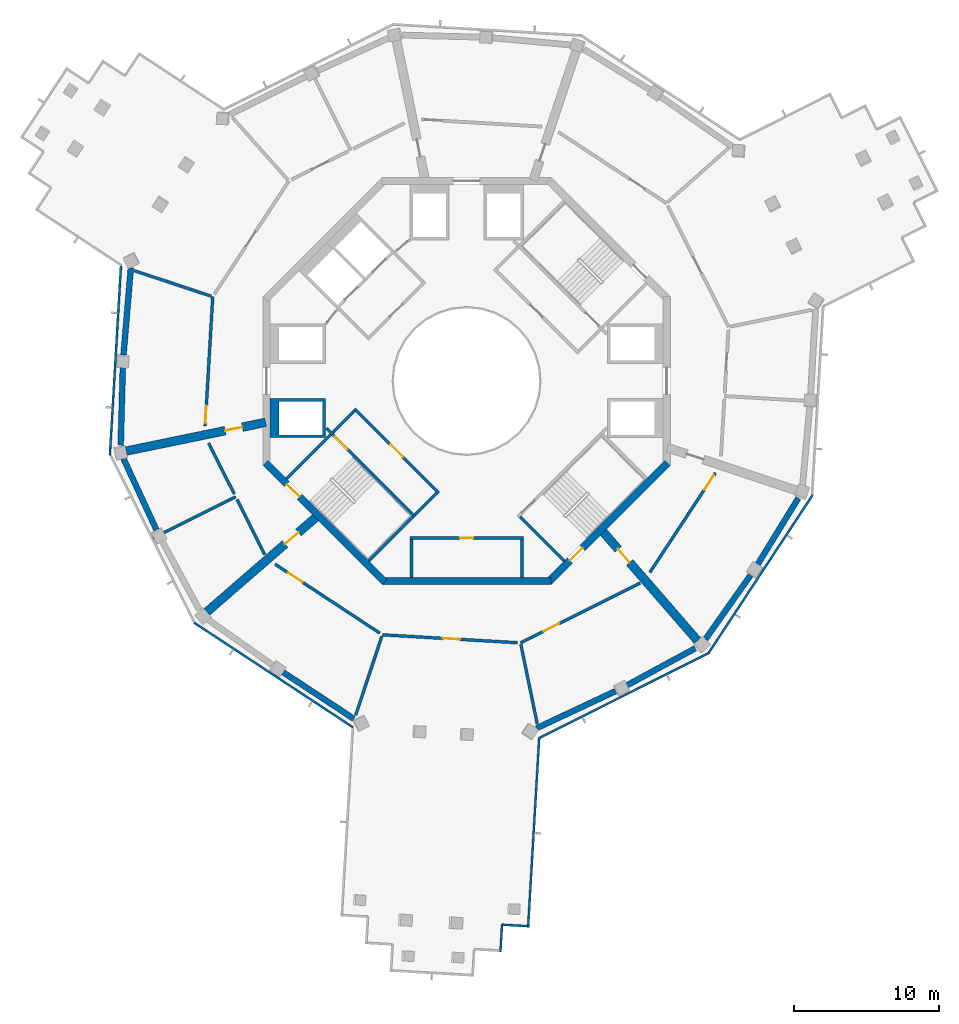
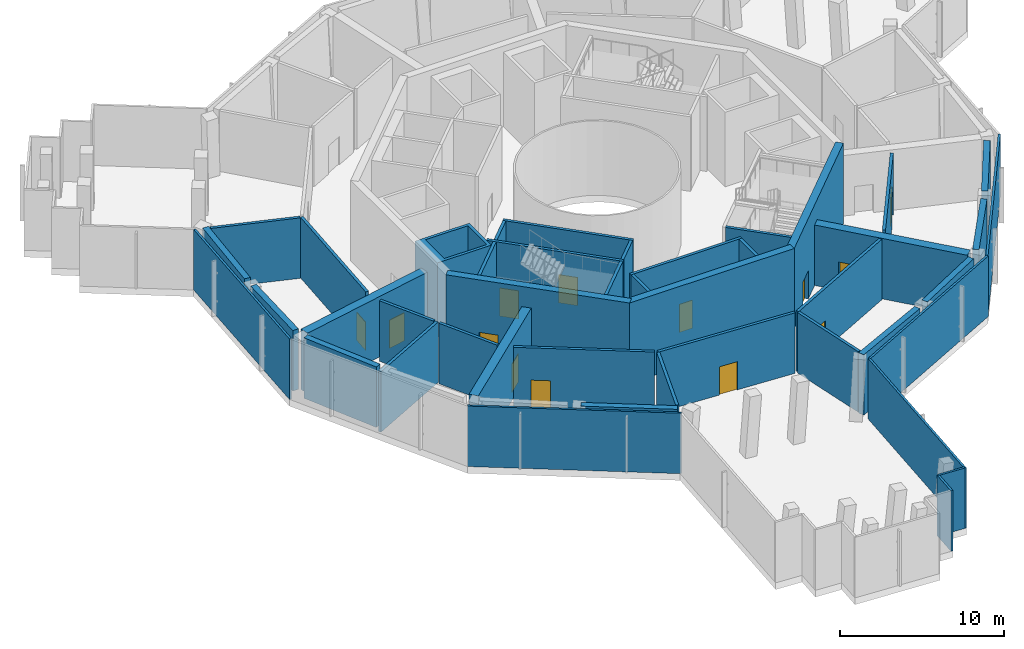
# One storey, part 2 of 16: 43 walls, 13 doors, 13 openings.
"""IFC4 building model written with IfcOpenShell, lengths in metres."""

from ifc_helpers import new_model, si_unit, direction, frame, frame_2d, origin, place, context, subcontext, project, spatial, polyline, rectangle, outline, extrude, material, layer, layer_set, type_object, element, fill, save


model = new_model("IFC4")

# Units and contexts
model_context = context("Model", 3, precision=1e-05, world=origin(), true_north=direction((0.0, 1.0)))
body_context = subcontext(model_context, "Body", "Model", "MODEL_VIEW")
ifc_project = project(units=[si_unit("LENGTHUNIT", "METRE"), si_unit("AREAUNIT", "SQUARE_METRE"), si_unit("VOLUMEUNIT", "CUBIC_METRE"), si_unit("PLANEANGLEUNIT", "RADIAN"), si_unit("MASSUNIT", "GRAM", prefix="KILO")], contexts=[model_context])

# Site, building, storey
site_placement = place(None, origin())
site = spatial("IfcSite", under=ifc_project, at=site_placement, CompositionType="ELEMENT")
building_placement = place(site_placement, origin())
building = spatial("IfcBuilding", under=site, at=building_placement, Name="Verdalira Terraces Hotel", CompositionType="ELEMENT")
storey_placement = place(building_placement, frame((0.0, 0.0, 263.0)))
storey = spatial("IfcBuildingStorey", under=building, at=storey_placement, Name="L65", CompositionType="ELEMENT", Elevation=263.0)

# Walls
ifc_material_1 = material(Name="Concrete C70", Category="concrete")
ifc_layer_1 = layer(ifc_material_1, 0.39990234375)
ifc_layer_set_1 = layer_set([ifc_layer_1], Name="Belt wall 400 C70")
wall_type_1 = type_object("IfcWallType", Name="Belt wall 400 C70", PredefinedType="SHEAR", material=ifc_layer_set_1)
wall_1_placement = place(storey_placement, frame((-23.077148, 7.766357, 0.0), z_axis=(0.0, 0.0, 1.0), x_axis=(-0.084417709, -0.996430454, 0.0)))
element("IfcWall", 1, at=wall_1_placement, inside=storey, type_object=wall_type_1, Name="Belt wall BW-65-1", PredefinedType="SHEAR", context=body_context, shape_type="SweptSolid", body=[
    extrude(rectangle(XDim=5.992432, YDim=0.399902, at=frame_2d((2.996094, 0.0))), origin(), (0.0, 0.0, 1.0), 4.5),
])
wall_2_placement = place(storey_placement, frame((-23.628662, 0.974121, 0.0), z_axis=(0.0, 0.0, 1.0), x_axis=(-0.026832631, -0.99963994, 0.0)))
element("IfcWall", 2, at=wall_2_placement, inside=storey, type_object=wall_type_1, Name="Belt wall BW-65-2", PredefinedType="SHEAR", context=body_context, shape_type="SweptSolid", body=[
    extrude(rectangle(XDim=5.395508, YDim=0.399902, at=frame_2d((2.697754, 0.0))), origin(), (0.0, 0.0, 1.0), 4.5),
])
wall_3_placement = place(storey_placement, frame((-23.584717, -5.336182, 0.0), z_axis=(0.0, 0.0, 1.0), x_axis=(0.419749551, -0.90763997, 0.0)))
element("IfcWall", 3, at=wall_3_placement, inside=storey, type_object=wall_type_1, Name="Belt wall BW-65-3", PredefinedType="SHEAR", context=body_context, shape_type="SweptSolid", body=[
    extrude(rectangle(XDim=5.395752, YDim=0.399902, at=frame_2d((2.697754, 0.0))), origin(), (0.0, 0.0, 1.0), 4.5),
])
wall_4_placement = place(storey_placement, frame((-12.675537, -19.980225, 0.0), z_axis=(0.0, 0.0, 1.0), x_axis=(0.835226029, -0.549906792, 0.0)))
element("IfcWall", 4, at=wall_4_placement, inside=storey, type_object=wall_type_1, Name="Belt wall BW-65-6", PredefinedType="SHEAR", context=body_context, shape_type="SweptSolid", body=[
    extrude(rectangle(XDim=5.899902, YDim=0.399902, at=frame_2d((2.949951, 0.0))), origin(), (0.0, 0.0, 1.0), 4.5),
])
wall_5_placement = place(storey_placement, frame((4.8125, -23.868408, 0.0), z_axis=(0.0, 0.0, 1.0), x_axis=(0.905172013, 0.425045441, 0.0)))
element("IfcWall", 5, at=wall_5_placement, inside=storey, type_object=wall_type_1, Name="Belt wall BW-65-7", PredefinedType="SHEAR", context=body_context, shape_type="SweptSolid", body=[
    extrude(rectangle(XDim=5.992676, YDim=0.399902, at=frame_2d((2.996338, 0.0))), origin(), (0.0, 0.0, 1.0), 4.5),
])
wall_6_placement = place(storey_placement, frame((10.970703, -20.950195, 0.0), z_axis=(0.0, 0.0, 1.0), x_axis=(0.879122155, 0.476596513, 0.0)))
element("IfcWall", 6, at=wall_6_placement, inside=storey, type_object=wall_type_1, Name="Belt wall BW-65-8", PredefinedType="SHEAR", context=body_context, shape_type="SweptSolid", body=[
    extrude(rectangle(XDim=5.395508, YDim=0.399902, at=frame_2d((2.697754, 0.0))), origin(), (0.0, 0.0, 1.0), 4.5),
])
for number, where, z_axis, x_axis, name in (
    (7, (16.413574, -17.756836, 0.0), (0.0, 0.0, 1.0), (0.576167922, 0.817331344, 0.0), "Belt wall BW-65-9"),
    (8, (19.976074, -12.658203, 0.0), (0.0, 0.0, 1.0), (0.523013979, 0.852324104, 0.0), "Belt wall BW-65-10"),
):
    element("IfcWall", number, at=place(storey_placement, frame(where, z_axis=z_axis, x_axis=x_axis)), inside=storey, type_object=wall_type_1, Name=name, PredefinedType="SHEAR", context=body_context, shape_type="SweptSolid", body=[
        extrude(rectangle(XDim=5.395752, YDim=0.399902, at=frame_2d((2.697754, 0.0))), origin(), (0.0, 0.0, 1.0), 4.5),
    ])
ifc_material_2 = material(Name="Concrete C50", Category="concrete")
ifc_layer_2 = layer(ifc_material_2, 0.199951171875)
ifc_layer_set_2 = layer_set([ifc_layer_2], Name="Core RC wall 200 C50")
wall_type_2 = type_object("IfcWallType", Name="Core RC wall 200 C50", PredefinedType="SOLIDWALL", material=ifc_layer_set_2)
wall_7_placement = place(storey_placement, origin())
element("IfcWall", 9, at=wall_7_placement, inside=storey, type_object=wall_type_2, Name="L65 shaft wall W2", PredefinedType="SOLIDWALL", context=body_context, shape_type="SweptSolid", body=[
    extrude(outline(polyline([(-9.699951, -3.899902), (-13.5, -3.899902), (-13.5, -1.199951), (-9.699951, -1.199951), (-9.699951, -3.899902)]), holes=[polyline([(-12.899902, -1.399902), (-12.899902, -3.699951), (-9.899902, -3.699951), (-9.899902, -1.399902), (-12.899902, -1.399902)])]), origin(), (0.0, 0.0, 1.0), 5.550049),
])

# Wall, opening, door
wall_8_placement = place(storey_placement, frame((-3.899902, -10.800049, 0.0), z_axis=(0.0, 0.0, 1.0), x_axis=(1.0, 0.0, 0.0)))
wall_8 = element("IfcWall", 10, at=wall_8_placement, inside=storey, type_object=wall_type_2, Name="L65 store front wall", PredefinedType="SOLIDWALL", context=body_context, shape_type="SweptSolid", body=[
    extrude(rectangle(XDim=7.799805, YDim=0.199951, at=frame_2d((3.899902, 0.0))), origin(), (0.0, 0.0, 1.0), 5.550049),
])
opening_1_placement = place(wall_8_placement, frame((3.449951, 0.0, 0.0)))
opening_1 = element("IfcOpeningElement", 11, at=opening_1_placement, cuts=wall_8, Name="Opening L65-801", PredefinedType="OPENING", context=body_context, shape_type="SweptSolid", body=[
    extrude(rectangle(XDim=0.899902, YDim=2.100098, at=frame_2d((0.449951, 1.050049))), frame((0.0, 0.109863, 0.0), z_axis=(0.0, -1.0, 0.0), x_axis=(1.0, 0.0, 0.0)), (0.0, 0.0, 1.0), 0.219971),
])
ifc_material_3 = material(Name="Steel fire door", Category="steel")
door_type_1 = type_object("IfcDoorType", Name="Core room door 900 x 2100", OperationType="NOTDEFINED", PredefinedType="DOOR", material=ifc_material_3)
door_1_placement = place(opening_1_placement, origin())
door_1 = element("IfcDoor", 12, at=door_1_placement, inside=storey, type_object=door_type_1, Name="Store door L65 SS", OperationType="SINGLE_SWING_LEFT", OverallHeight=2.10009765625, OverallWidth=0.89990234375, PredefinedType="DOOR", context=body_context, shape_type="SweptSolid", body=[
    extrude(rectangle(XDim=0.899902, YDim=2.100098, at=frame_2d((0.449951, 1.050049))), frame((0.0, 0.024902, 0.0), z_axis=(0.0, -1.0, 0.0), x_axis=(1.0, 0.0, 0.0)), (0.0, 0.0, 1.0), 0.050049),
])
fill(opening_1, door_1)

# Walls
for number, where, z_axis, x_axis, name in (
    (13, (-3.800049, -10.899902, 0.0), (0.0, 0.0, 1.0), (0.0, -1.0, 0.0), "L65 store side wall"),
    (14, (3.800049, -10.899902, 0.0), (0.0, 0.0, 1.0), (0.0, -1.0, 0.0), "L65 store side wall"),
):
    element("IfcWall", number, at=place(storey_placement, frame(where, z_axis=z_axis, x_axis=x_axis)), inside=storey, type_object=wall_type_2, Name=name, PredefinedType="SOLIDWALL", context=body_context, shape_type="SweptSolid", body=[
        extrude(rectangle(XDim=2.600098, YDim=0.199951, at=frame_2d((1.300049, 0.0))), origin(), (0.0, 0.0, 1.0), 5.550049),
    ])

# Wall, opening, door
wall_9_placement = place(storey_placement, frame((-3.5354, -9.33374, 0.0), z_axis=(0.0, 0.0, 1.0), x_axis=(-0.707120946, 0.707092617, 0.0)))
wall_9 = element("IfcWall", 15, at=wall_9_placement, inside=storey, type_object=wall_type_2, Name="L65 stair ST2 front wall", PredefinedType="SOLIDWALL", context=body_context, shape_type="SweptSolid", body=[
    extrude(rectangle(XDim=8.61792, YDim=0.199951, at=frame_2d((4.309082, 0.0))), origin(), (0.0, 0.0, 1.0), 5.550049),
])
opening_2_placement = place(wall_9_placement, frame((6.600098, 0.0, 0.0)))
opening_2 = element("IfcOpeningElement", 16, at=opening_2_placement, cuts=wall_9, Name="Opening L65-805", PredefinedType="OPENING", context=body_context, shape_type="SweptSolid", body=[
    extrude(rectangle(XDim=1.199951, YDim=2.100098, at=frame_2d((0.600098, 1.050049))), frame((0.0, 0.109863, 0.0), z_axis=(0.0, -1.0, 0.0), x_axis=(1.0, 0.0, 0.0)), (0.0, 0.0, 1.0), 0.219971),
])
ifc_material_4 = material(Name="Steel fire door", Category="steel")
door_type_2 = type_object("IfcDoorType", Name="Stair door 1200 x 2100", OperationType="NOTDEFINED", PredefinedType="DOOR", material=ifc_material_4)
door_2_placement = place(opening_2_placement, origin())
door_2 = element("IfcDoor", 17, at=door_2_placement, inside=storey, type_object=door_type_2, Name="Stair door ST2 L65", OperationType="SINGLE_SWING_RIGHT", OverallHeight=2.10009765625, OverallWidth=1.199951171875, PredefinedType="DOOR", context=body_context, shape_type="SweptSolid", body=[
    extrude(rectangle(XDim=1.199951, YDim=2.100098, at=frame_2d((0.600098, 1.050049))), frame((0.0, 0.024902, 0.0), z_axis=(0.0, -1.0, 0.0), x_axis=(1.0, 0.0, 0.0)), (0.0, 0.0, 1.0), 0.050049),
])
fill(opening_2, door_2)

# Walls
for number, where, z_axis, x_axis, name in (
    (18, (-9.33374, -3.677002, 0.0), (0.0, 0.0, 1.0), (-0.707135168, -0.707078393, 0.0), "L65 stair ST2 end wall 1"),
    (19, (-3.677002, -9.33374, 0.0), (0.0, 0.0, 1.0), (-0.707078393, -0.707135168, 0.0), "L65 stair ST2 end wall 2"),
    (20, (3.677002, -9.33374, 0.0), (0.0, 0.0, 1.0), (0.707078393, -0.707135168, 0.0), "L65 stair ST3 end wall 1"),
):
    element("IfcWall", number, at=place(storey_placement, frame(where, z_axis=z_axis, x_axis=x_axis)), inside=storey, type_object=wall_type_2, Name=name, PredefinedType="SOLIDWALL", context=body_context, shape_type="SweptSolid", body=[
        extrude(rectangle(XDim=4.300049, YDim=0.199951, at=frame_2d((2.149902, 0.0))), origin(), (0.0, 0.0, 1.0), 5.550049),
    ])

# Wall, opening, door
wall_10_placement = place(storey_placement, frame((-7.70752, -1.90918, 0.0), z_axis=(0.0, 0.0, 1.0), x_axis=(0.707106781, -0.707106781, 0.0)))
wall_10 = element("IfcWall", 21, at=wall_10_placement, inside=storey, type_object=wall_type_2, Name="Stair lobby wall ST2 L65", PredefinedType="SOLIDWALL", context=body_context, shape_type="SweptSolid", body=[
    extrude(rectangle(XDim=8.200195, YDim=0.199951, at=frame_2d((4.100098, 0.0))), origin(), (0.0, 0.0, 1.0), 5.550049),
])
opening_3_placement = place(wall_10_placement, frame((3.5, 0.0, 0.0)))
opening_3 = element("IfcOpeningElement", 22, at=opening_3_placement, cuts=wall_10, Name="Opening L65-817", PredefinedType="OPENING", context=body_context, shape_type="SweptSolid", body=[
    extrude(rectangle(XDim=1.199951, YDim=2.100098, at=frame_2d((0.600098, 1.050049))), frame((0.0, 0.109863, 0.0), z_axis=(0.0, -1.0, 0.0), x_axis=(1.0, 0.0, 0.0)), (0.0, 0.0, 1.0), 0.219971),
])
ifc_material_5 = material(Name="Steel fire door", Category="steel")
door_type_3 = type_object("IfcDoorType", Name="Lobby door 1200 x 2100", OperationType="NOTDEFINED", PredefinedType="DOOR", material=ifc_material_5)
door_3_placement = place(opening_3_placement, origin())
door_3 = element("IfcDoor", 23, at=door_3_placement, inside=storey, type_object=door_type_3, Name="Door L65 lobbyST2", OperationType="SINGLE_SWING_LEFT", OverallHeight=2.10009765625, OverallWidth=1.199951171875, PredefinedType="DOOR", context=body_context, shape_type="SweptSolid", body=[
    extrude(rectangle(XDim=1.199951, YDim=2.100098, at=frame_2d((0.600098, 1.050049))), frame((0.0, 0.024902, 0.0), z_axis=(0.0, -1.0, 0.0), x_axis=(1.0, 0.0, 0.0)), (0.0, 0.0, 1.0), 0.050049),
])
fill(opening_3, door_3)

# Walls
for number, where, z_axis, x_axis, name in (
    (24, (-7.70752, -2.050537, 0.0), (0.0, 0.0, 1.0), (-0.707106781, -0.707106781, 0.0), "Stair lobby wall ST2 L65"),
    (25, (-2.050537, -7.70752, 0.0), (0.0, 0.0, 1.0), (-0.707106781, -0.707106781, 0.0), "Stair lobby wall ST2 L65"),
):
    element("IfcWall", number, at=place(storey_placement, frame(where, z_axis=z_axis, x_axis=x_axis)), inside=storey, type_object=wall_type_2, Name=name, PredefinedType="SOLIDWALL", context=body_context, shape_type="SweptSolid", body=[
        extrude(rectangle(XDim=2.099854, YDim=0.199951, at=frame_2d((1.049805, 0.0))), origin(), (0.0, 0.0, 1.0), 5.550049),
    ])

# Wall, opening, door
ifc_material_6 = material(Name="Concrete C50", Category="concrete")
ifc_layer_3 = layer(ifc_material_6, 0.5)
ifc_layer_set_3 = layer_set([ifc_layer_3], Name="Core wall 500 C50")
wall_type_3 = type_object("IfcWallType", Name="Core wall 500 C50", PredefinedType="SHEAR", material=ifc_layer_set_3)
wall_11_placement = place(storey_placement, frame((-13.823242, -5.622314, 0.0), z_axis=(0.0, 0.0, 1.0), x_axis=(0.707106781, -0.707106781, 0.0)))
wall_11 = element("IfcWall", 26, at=wall_11_placement, inside=storey, type_object=wall_type_3, Name="Core wall CW-L65-6", PredefinedType="SHEAR", context=body_context, shape_type="SweptSolid", body=[
    extrude(rectangle(XDim=11.5979, YDim=0.5, at=frame_2d((5.798828, 0.0))), origin(), (0.0, 0.0, 1.0), 6.0),
])
opening_4_placement = place(wall_11_placement, frame((2.099121, 0.0, 0.0)))
opening_4 = element("IfcOpeningElement", 27, at=opening_4_placement, cuts=wall_11, Name="Opening L65-811", PredefinedType="OPENING", context=body_context, shape_type="SweptSolid", body=[
    extrude(rectangle(XDim=1.199951, YDim=2.100098, at=frame_2d((0.600098, 1.050049))), frame((0.0, 0.26001, 0.0), z_axis=(0.0, -1.0, 0.0), x_axis=(1.0, 0.0, 0.0)), (0.0, 0.0, 1.0), 0.52002),
])
door_4_placement = place(opening_4_placement, origin())
door_4 = element("IfcDoor", 28, at=door_4_placement, inside=storey, type_object=door_type_2, Name="Stair exit door ST2 L65", OperationType="SINGLE_SWING_LEFT", OverallHeight=2.10009765625, OverallWidth=1.199951171875, PredefinedType="DOOR", context=body_context, shape_type="SweptSolid", body=[
    extrude(rectangle(XDim=1.199951, YDim=2.100098, at=frame_2d((0.600098, 1.050049))), frame((0.0, 0.024902, 0.0), z_axis=(0.0, -1.0, 0.0), x_axis=(1.0, 0.0, 0.0)), (0.0, 0.0, 1.0), 0.050049),
])
fill(opening_4, door_4)

# Wall
wall_12_placement = place(storey_placement, frame((-5.799072, -13.75, 0.0), z_axis=(0.0, 0.0, 1.0), x_axis=(1.0, 0.0, 0.0)))
element("IfcWall", 29, at=wall_12_placement, inside=storey, type_object=wall_type_3, Name="Core wall CW-L65-7", PredefinedType="SHEAR", context=body_context, shape_type="SweptSolid", body=[
    extrude(rectangle(XDim=11.598145, YDim=0.5, at=frame_2d((5.799072, 0.0))), origin(), (0.0, 0.0, 1.0), 6.0),
])

# Wall, opening, door
wall_13_placement = place(storey_placement, frame((5.622314, -13.823242, 0.0), z_axis=(0.0, 0.0, 1.0), x_axis=(0.707106781, 0.707106781, 0.0)))
wall_13 = element("IfcWall", 30, at=wall_13_placement, inside=storey, type_object=wall_type_3, Name="Core wall CW-L65-8", PredefinedType="SHEAR", context=body_context, shape_type="SweptSolid", body=[
    extrude(rectangle(XDim=11.5979, YDim=0.5, at=frame_2d((5.798828, 0.0))), origin(), (0.0, 0.0, 1.0), 6.0),
])
opening_5_placement = place(wall_13_placement, frame((2.099121, 0.0, 0.0)))
opening_5 = element("IfcOpeningElement", 31, at=opening_5_placement, cuts=wall_13, Name="Opening L65-812", PredefinedType="OPENING", context=body_context, shape_type="SweptSolid", body=[
    extrude(rectangle(XDim=1.199951, YDim=2.100098, at=frame_2d((0.600098, 1.050049))), frame((0.0, 0.26001, 0.0), z_axis=(0.0, -1.0, 0.0), x_axis=(1.0, 0.0, 0.0)), (0.0, 0.0, 1.0), 0.52002),
])
door_5_placement = place(opening_5_placement, origin())
door_5 = element("IfcDoor", 32, at=door_5_placement, inside=storey, type_object=door_type_2, Name="Stair exit door ST3 L65", OperationType="SINGLE_SWING_LEFT", OverallHeight=2.10009765625, OverallWidth=1.199951171875, PredefinedType="DOOR", context=body_context, shape_type="SweptSolid", body=[
    extrude(rectangle(XDim=1.199951, YDim=2.100098, at=frame_2d((0.600098, 1.050049))), frame((0.0, 0.024902, 0.0), z_axis=(0.0, -1.0, 0.0), x_axis=(1.0, 0.0, 0.0)), (0.0, 0.0, 1.0), 0.050049),
])
fill(opening_5, door_5)

ifc_material_7 = material(Name="Concrete C70", Category="concrete")
ifc_layer_4 = layer(ifc_material_7, 0.60009765625)
ifc_layer_set_4 = layer_set([ifc_layer_4], Name="Outrigger wall 600 C70")
wall_type_4 = type_object("IfcWallType", Name="Outrigger wall 600 C70", PredefinedType="SHEAR", material=ifc_layer_set_4)
wall_14_placement = place(storey_placement, frame((-13.804199, -2.843506, 0.0), z_axis=(0.0, 0.0, 1.0), x_axis=(-0.979429804, -0.201785179, 0.0)))
wall_14 = element("IfcWall", 33, at=wall_14_placement, inside=storey, type_object=wall_type_4, Name="Outrigger wall OW-65-1", PredefinedType="SHEAR", context=body_context, shape_type="SweptSolid", body=[
    extrude(rectangle(XDim=9.791748, YDim=0.600098, at=frame_2d((4.895996, 0.0))), origin(), (0.0, 0.0, 1.0), 4.5),
])
opening_6_placement = place(wall_14_placement, frame((1.649902, 0.0, 0.0)))
opening_6 = element("IfcOpeningElement", 34, at=opening_6_placement, cuts=wall_14, Name="Opening L65-101", PredefinedType="OPENING", context=body_context, shape_type="SweptSolid", body=[
    extrude(rectangle(XDim=1.199951, YDim=2.100098, at=frame_2d((0.600098, 1.050049))), frame((0.0, 0.310059, 0.0), z_axis=(0.0, -1.0, 0.0), x_axis=(1.0, 0.0, 0.0)), (0.0, 0.0, 1.0), 0.620117),
])
ifc_material_8 = material(Name="Steel fire door", Category="steel")
door_type_4 = type_object("IfcDoorType", Name="Plant room door 1200 x 2100", OperationType="NOTDEFINED", PredefinedType="DOOR", material=ifc_material_8)
door_6_placement = place(opening_6_placement, origin())
door_6 = element("IfcDoor", 35, at=door_6_placement, inside=storey, type_object=door_type_4, Name="Plant room door", OperationType="SINGLE_SWING_LEFT", OverallHeight=2.10009765625, OverallWidth=1.199951171875, PredefinedType="DOOR", context=body_context, shape_type="SweptSolid", body=[
    extrude(rectangle(XDim=1.199951, YDim=2.100098, at=frame_2d((0.600098, 1.050049))), frame((0.0, 0.024902, 0.0), z_axis=(0.0, -1.0, 0.0), x_axis=(1.0, 0.0, 0.0)), (0.0, 0.0, 1.0), 0.050049),
])
fill(opening_6, door_6)

wall_15_placement = place(storey_placement, frame((-10.243408, -9.273438, 0.0), z_axis=(0.0, 0.0, 1.0), x_axis=(-0.755466645, -0.65518711, 0.0)))
wall_15 = element("IfcWall", 36, at=wall_15_placement, inside=storey, type_object=wall_type_4, Name="Outrigger wall OW-65-2", PredefinedType="SHEAR", context=body_context, shape_type="SweptSolid", body=[
    extrude(rectangle(XDim=10.06958, YDim=0.600098, at=frame_2d((5.034668, 0.0))), origin(), (0.0, 0.0, 1.0), 4.5),
])
opening_7_placement = place(wall_15_placement, frame((1.75, 0.0, 0.0)))
opening_7 = element("IfcOpeningElement", 37, at=opening_7_placement, cuts=wall_15, Name="Opening L65-102", PredefinedType="OPENING", context=body_context, shape_type="SweptSolid", body=[
    extrude(rectangle(XDim=1.199951, YDim=2.100098, at=frame_2d((0.600098, 1.050049))), frame((0.0, 0.310059, 0.0), z_axis=(0.0, -1.0, 0.0), x_axis=(1.0, 0.0, 0.0)), (0.0, 0.0, 1.0), 0.620117),
])
door_7_placement = place(opening_7_placement, origin())
door_7 = element("IfcDoor", 38, at=door_7_placement, inside=storey, type_object=door_type_4, Name="Plant room door", OperationType="SINGLE_SWING_LEFT", OverallHeight=2.10009765625, OverallWidth=1.199951171875, PredefinedType="DOOR", context=body_context, shape_type="SweptSolid", body=[
    extrude(rectangle(XDim=1.199951, YDim=2.100098, at=frame_2d((0.600098, 1.050049))), frame((0.0, 0.024902, 0.0), z_axis=(0.0, -1.0, 0.0), x_axis=(1.0, 0.0, 0.0)), (0.0, 0.0, 1.0), 0.050049),
])
fill(opening_7, door_7)

wall_16_placement = place(storey_placement, frame((9.273438, -10.243408, 0.0), z_axis=(0.0, 0.0, 1.0), x_axis=(0.65518711, -0.755466645, 0.0)))
wall_16 = element("IfcWall", 39, at=wall_16_placement, inside=storey, type_object=wall_type_4, Name="Outrigger wall OW-65-3", PredefinedType="SHEAR", context=body_context, shape_type="SweptSolid", body=[
    extrude(rectangle(XDim=10.06958, YDim=0.600098, at=frame_2d((5.034668, 0.0))), origin(), (0.0, 0.0, 1.0), 4.5),
])
opening_8_placement = place(wall_16_placement, frame((1.75, 0.0, 0.0)))
opening_8 = element("IfcOpeningElement", 40, at=opening_8_placement, cuts=wall_16, Name="Opening L65-103", PredefinedType="OPENING", context=body_context, shape_type="SweptSolid", body=[
    extrude(rectangle(XDim=1.199951, YDim=2.100098, at=frame_2d((0.600098, 1.050049))), frame((0.0, 0.310059, 0.0), z_axis=(0.0, -1.0, 0.0), x_axis=(1.0, 0.0, 0.0)), (0.0, 0.0, 1.0), 0.620117),
])
door_8_placement = place(opening_8_placement, origin())
door_8 = element("IfcDoor", 41, at=door_8_placement, inside=storey, type_object=door_type_4, Name="Plant room door", OperationType="SINGLE_SWING_LEFT", OverallHeight=2.10009765625, OverallWidth=1.199951171875, PredefinedType="DOOR", context=body_context, shape_type="SweptSolid", body=[
    extrude(rectangle(XDim=1.199951, YDim=2.100098, at=frame_2d((0.600098, 1.050049))), frame((0.0, 0.024902, 0.0), z_axis=(0.0, -1.0, 0.0), x_axis=(1.0, 0.0, 0.0)), (0.0, 0.0, 1.0), 0.050049),
])
fill(opening_8, door_8)

# Walls
ifc_material_9 = material(Name="Fire-rated concrete block wall", Category="concrete")
ifc_layer_5 = layer(ifc_material_9, 0.199951171875)
ifc_layer_set_5 = layer_set([ifc_layer_5], Name="Plant room wall 200 mm")
wall_type_5 = type_object("IfcWallType", Name="Plant room wall 200 mm", PredefinedType="SOLIDWALL", material=ifc_layer_set_5)
wall_17_placement = place(storey_placement, frame((-17.547119, 5.823486, 0.0), z_axis=(0.0, 0.0, 1.0), x_axis=(-0.949094078, 0.314992748, 0.0)))
element("IfcWall", 42, at=wall_17_placement, inside=storey, type_object=wall_type_5, Name="Plant room wall", PredefinedType="SOLIDWALL", context=body_context, shape_type="SweptSolid", body=[
    extrude(rectangle(XDim=5.575928, YDim=0.199951, at=frame_2d((2.788086, 0.0))), origin(), (0.0, 0.0, 1.0), 4.5),
])
wall_18_placement = place(storey_placement, frame((-15.873291, -7.962646, 0.0), z_axis=(0.0, 0.0, 1.0), x_axis=(-0.893842016, -0.448382037, 0.0)))
element("IfcWall", 43, at=wall_18_placement, inside=storey, type_object=wall_type_5, Name="Plant room wall", PredefinedType="SOLIDWALL", context=body_context, shape_type="SweptSolid", body=[
    extrude(rectangle(XDim=6.349854, YDim=0.199951, at=frame_2d((3.174805, 0.0))), origin(), (0.0, 0.0, 1.0), 4.5),
])

# Wall, opening, door
wall_19_placement = place(storey_placement, frame((-17.970215, -3.088623, 0.0), z_axis=(0.0, 0.0, 1.0), x_axis=(0.05859974, 0.998281559, 0.0)))
wall_19 = element("IfcWall", 44, at=wall_19_placement, inside=storey, type_object=wall_type_5, Name="Plant room wall", PredefinedType="SOLIDWALL", context=body_context, shape_type="SweptSolid", body=[
    extrude(rectangle(XDim=8.89502, YDim=0.199951, at=frame_2d((4.44751, 0.0))), origin(), (0.0, 0.0, 1.0), 4.5),
])
opening_9_placement = place(wall_19_placement, frame((0.199951, 0.0, 0.0)))
opening_9 = element("IfcOpeningElement", 45, at=opening_9_placement, cuts=wall_19, Name="Opening L65-108", PredefinedType="OPENING", context=body_context, shape_type="SweptSolid", body=[
    extrude(rectangle(XDim=1.199951, YDim=2.100098, at=frame_2d((0.600098, 1.050049))), frame((0.0, 0.109863, 0.0), z_axis=(0.0, -1.0, 0.0), x_axis=(1.0, 0.0, 0.0)), (0.0, 0.0, 1.0), 0.219971),
])
door_9_placement = place(opening_9_placement, origin())
door_9 = element("IfcDoor", 46, at=door_9_placement, inside=storey, type_object=door_type_4, Name="Plant room door 6502", OperationType="SINGLE_SWING_LEFT", OverallHeight=2.10009765625, OverallWidth=1.199951171875, PredefinedType="DOOR", context=body_context, shape_type="SweptSolid", body=[
    extrude(rectangle(XDim=1.199951, YDim=2.100098, at=frame_2d((0.600098, 1.050049))), frame((0.0, 0.024902, 0.0), z_axis=(0.0, -1.0, 0.0), x_axis=(1.0, 0.0, 0.0)), (0.0, 0.0, 1.0), 0.050049),
])
fill(opening_9, door_9)

# Walls
wall_20_placement = place(storey_placement, frame((-17.727783, -4.264893, 0.0), z_axis=(0.0, 0.0, 1.0), x_axis=(0.448329575, -0.893868331, 0.0)))
element("IfcWall", 47, at=wall_20_placement, inside=storey, type_object=wall_type_5, Name="Plant room wall", PredefinedType="SOLIDWALL", context=body_context, shape_type="SweptSolid", body=[
    extrude(rectangle(XDim=3.936523, YDim=0.199951, at=frame_2d((1.968262, 0.0))), origin(), (0.0, 0.0, 1.0), 4.5),
])
wall_21_placement = place(storey_placement, frame((-15.783447, -8.141357, 0.0), z_axis=(0.0, 0.0, 1.0), x_axis=(0.448385612, -0.893840223, 0.0)))
element("IfcWall", 48, at=wall_21_placement, inside=storey, type_object=wall_type_5, Name="Plant room wall", PredefinedType="SOLIDWALL", context=body_context, shape_type="SweptSolid", body=[
    extrude(rectangle(XDim=4.248047, YDim=0.199951, at=frame_2d((2.124023, 0.0))), origin(), (0.0, 0.0, 1.0), 4.5),
])

# Wall, opening, door
wall_22_placement = place(storey_placement, frame((-5.958008, -17.338867, 0.0), z_axis=(0.0, 0.0, 1.0), x_axis=(-0.835241577, 0.549883176, 0.0)))
wall_22 = element("IfcWall", 49, at=wall_22_placement, inside=storey, type_object=wall_type_5, Name="Plant room wall", PredefinedType="SOLIDWALL", context=body_context, shape_type="SweptSolid", body=[
    extrude(rectangle(XDim=8.625, YDim=0.199951, at=frame_2d((4.3125, 0.0))), origin(), (0.0, 0.0, 1.0), 4.5),
])
opening_10_placement = place(wall_22_placement, frame((6.350098, 0.0, 0.0)))
opening_10 = element("IfcOpeningElement", 50, at=opening_10_placement, cuts=wall_22, Name="Opening L65-109", PredefinedType="OPENING", context=body_context, shape_type="SweptSolid", body=[
    extrude(rectangle(XDim=1.199951, YDim=2.100098, at=frame_2d((0.600098, 1.050049))), frame((0.0, 0.109863, 0.0), z_axis=(0.0, -1.0, 0.0), x_axis=(1.0, 0.0, 0.0)), (0.0, 0.0, 1.0), 0.219971),
])
door_10_placement = place(opening_10_placement, origin())
door_10 = element("IfcDoor", 51, at=door_10_placement, inside=storey, type_object=door_type_4, Name="Plant room door 6503", OperationType="SINGLE_SWING_LEFT", OverallHeight=2.10009765625, OverallWidth=1.199951171875, PredefinedType="DOOR", context=body_context, shape_type="SweptSolid", body=[
    extrude(rectangle(XDim=1.199951, YDim=2.100098, at=frame_2d((0.600098, 1.050049))), frame((0.0, 0.024902, 0.0), z_axis=(0.0, -1.0, 0.0), x_axis=(1.0, 0.0, 0.0)), (0.0, 0.0, 1.0), 0.050049),
])
fill(opening_10, door_10)

# Wall
wall_23_placement = place(storey_placement, frame((-5.823486, -17.547119, 0.0), z_axis=(0.0, 0.0, 1.0), x_axis=(-0.315012313, -0.949087584, 0.0)))
element("IfcWall", 52, at=wall_23_placement, inside=storey, type_object=wall_type_5, Name="Plant room wall", PredefinedType="SOLIDWALL", context=body_context, shape_type="SweptSolid", body=[
    extrude(rectangle(XDim=5.72583, YDim=0.199951, at=frame_2d((2.862793, 0.0))), origin(), (0.0, 0.0, 1.0), 4.5),
])

# Wall, opening, door
wall_24_placement = place(storey_placement, frame((3.509521, -17.995117, 0.0), z_axis=(0.0, 0.0, 1.0), x_axis=(-0.998280332, 0.058620635, 0.0)))
wall_24 = element("IfcWall", 53, at=wall_24_placement, inside=storey, type_object=wall_type_5, Name="Plant room wall", PredefinedType="SOLIDWALL", context=body_context, shape_type="SweptSolid", body=[
    extrude(rectangle(XDim=9.31665, YDim=0.199951, at=frame_2d((4.658203, 0.0))), origin(), (0.0, 0.0, 1.0), 4.5),
])
opening_11_placement = place(wall_24_placement, frame((3.949951, 0.0, 0.0)))
opening_11 = element("IfcOpeningElement", 54, at=opening_11_placement, cuts=wall_24, Name="Opening L65-110", PredefinedType="OPENING", context=body_context, shape_type="SweptSolid", body=[
    extrude(rectangle(XDim=1.199951, YDim=2.100098, at=frame_2d((0.600098, 1.050049))), frame((0.0, 0.109863, 0.0), z_axis=(0.0, -1.0, 0.0), x_axis=(1.0, 0.0, 0.0)), (0.0, 0.0, 1.0), 0.219971),
])
door_11_placement = place(opening_11_placement, origin())
door_11 = element("IfcDoor", 55, at=door_11_placement, inside=storey, type_object=door_type_4, Name="Plant room door 6504", OperationType="SINGLE_SWING_LEFT", OverallHeight=2.10009765625, OverallWidth=1.199951171875, PredefinedType="DOOR", context=body_context, shape_type="SweptSolid", body=[
    extrude(rectangle(XDim=1.199951, YDim=2.100098, at=frame_2d((0.600098, 1.050049))), frame((0.0, 0.024902, 0.0), z_axis=(0.0, -1.0, 0.0), x_axis=(1.0, 0.0, 0.0)), (0.0, 0.0, 1.0), 0.050049),
])
fill(opening_11, door_11)

# Wall
wall_25_placement = place(storey_placement, frame((3.730225, -18.108154, 0.0), z_axis=(0.0, 0.0, 1.0), x_axis=(0.201771526, -0.979432617, 0.0)))
element("IfcWall", 56, at=wall_25_placement, inside=storey, type_object=wall_type_5, Name="Plant room wall", PredefinedType="SOLIDWALL", context=body_context, shape_type="SweptSolid", body=[
    extrude(rectangle(XDim=5.575684, YDim=0.199951, at=frame_2d((2.787842, 0.0))), origin(), (0.0, 0.0, 1.0), 4.5),
])

# Wall, opening, door
wall_26_placement = place(storey_placement, frame((11.938965, -13.878418, 0.0), z_axis=(0.0, 0.0, 1.0), x_axis=(-0.893843051, -0.448379973, 0.0)))
wall_26 = element("IfcWall", 57, at=wall_26_placement, inside=storey, type_object=wall_type_5, Name="Plant room wall", PredefinedType="SOLIDWALL", context=body_context, shape_type="SweptSolid", body=[
    extrude(rectangle(XDim=9.206787, YDim=0.199951, at=frame_2d((4.603516, 0.0))), origin(), (0.0, 0.0, 1.0), 4.5),
])
opening_12_placement = place(wall_26_placement, frame((6.25, 0.0, 0.0)))
opening_12 = element("IfcOpeningElement", 58, at=opening_12_placement, cuts=wall_26, Name="Opening L65-111", PredefinedType="OPENING", context=body_context, shape_type="SweptSolid", body=[
    extrude(rectangle(XDim=1.199951, YDim=2.100098, at=frame_2d((0.600098, 1.050049))), frame((0.0, 0.109863, 0.0), z_axis=(0.0, -1.0, 0.0), x_axis=(1.0, 0.0, 0.0)), (0.0, 0.0, 1.0), 0.219971),
])
door_12_placement = place(opening_12_placement, origin())
door_12 = element("IfcDoor", 59, at=door_12_placement, inside=storey, type_object=door_type_4, Name="Plant room door 6505", OperationType="SINGLE_SWING_LEFT", OverallHeight=2.10009765625, OverallWidth=1.199951171875, PredefinedType="DOOR", context=body_context, shape_type="SweptSolid", body=[
    extrude(rectangle(XDim=1.199951, YDim=2.100098, at=frame_2d((0.600098, 1.050049))), frame((0.0, 0.024902, 0.0), z_axis=(0.0, -1.0, 0.0), x_axis=(1.0, 0.0, 0.0)), (0.0, 0.0, 1.0), 0.050049),
])
fill(opening_12, door_12)

wall_27_placement = place(storey_placement, frame((17.106934, -6.310303, 0.0), z_axis=(0.0, 0.0, 1.0), x_axis=(-0.549883224, -0.835241546, 0.0)))
wall_27 = element("IfcWall", 60, at=wall_27_placement, inside=storey, type_object=wall_type_5, Name="Plant room wall", PredefinedType="SOLIDWALL", context=body_context, shape_type="SweptSolid", body=[
    extrude(rectangle(XDim=8.203125, YDim=0.199951, at=frame_2d((4.101562, 0.0))), origin(), (0.0, 0.0, 1.0), 4.5),
])
opening_13_placement = place(wall_27_placement, frame((0.199951, 0.0, 0.0)))
opening_13 = element("IfcOpeningElement", 61, at=opening_13_placement, cuts=wall_27, Name="Opening L65-112", PredefinedType="OPENING", context=body_context, shape_type="SweptSolid", body=[
    extrude(rectangle(XDim=1.199951, YDim=2.100098, at=frame_2d((0.600098, 1.050049))), frame((0.0, 0.109863, 0.0), z_axis=(0.0, -1.0, 0.0), x_axis=(1.0, 0.0, 0.0)), (0.0, 0.0, 1.0), 0.219971),
])
door_13_placement = place(opening_13_placement, origin())
door_13 = element("IfcDoor", 62, at=door_13_placement, inside=storey, type_object=door_type_4, Name="Plant room door 6506", OperationType="SINGLE_SWING_LEFT", OverallHeight=2.10009765625, OverallWidth=1.199951171875, PredefinedType="DOOR", context=body_context, shape_type="SweptSolid", body=[
    extrude(rectangle(XDim=1.199951, YDim=2.100098, at=frame_2d((0.600098, 1.050049))), frame((0.0, 0.024902, 0.0), z_axis=(0.0, -1.0, 0.0), x_axis=(1.0, 0.0, 0.0)), (0.0, 0.0, 1.0), 0.050049),
])
fill(opening_13, door_13)

# Walls
ifc_material_10 = material(Name="Terracotta cladding", Category="masonry")
ifc_layer_6 = layer(ifc_material_10, 0.14990234375)
ifc_layer_set_6 = layer_set([ifc_layer_6], Name="Terracotta clad wall 150")
wall_type_6 = type_object("IfcWallType", Name="Terracotta clad wall 150", PredefinedType="SOLIDWALL", material=ifc_layer_set_6)
wall_28_placement = place(storey_placement, frame((-23.76001, 7.917725, 0.0), z_axis=(0.0, 0.0, 1.0), x_axis=(-0.058610129, -0.998280949, 0.0)))
element("IfcWall", 63, at=wall_28_placement, inside=storey, type_object=wall_type_6, Name="Terracotta cladding wall", PredefinedType="SOLIDWALL", context=body_context, shape_type="SweptSolid", body=[
    extrude(rectangle(XDim=13.046387, YDim=0.149902, at=frame_2d((6.523193, 0.0))), origin(), (0.0, 0.0, 1.0), 4.5),
])
wall_29_placement = place(storey_placement, frame((-18.727295, -16.624268, 0.0), z_axis=(0.0, 0.0, 1.0), x_axis=(0.835230898, -0.549899397, 0.0)))
element("IfcWall", 64, at=wall_29_placement, inside=storey, type_object=wall_type_6, Name="Terracotta cladding wall", PredefinedType="SOLIDWALL", context=body_context, shape_type="SweptSolid", body=[
    extrude(rectangle(XDim=13.074951, YDim=0.149902, at=frame_2d((6.537598, 0.0))), origin(), (0.0, 0.0, 1.0), 4.5),
])
wall_30_placement = place(storey_placement, frame((2.328857, -39.24707, 0.0), z_axis=(0.0, 0.0, 1.0), x_axis=(0.058599882, 0.99828155, 0.0)))
element("IfcWall", 65, at=wall_30_placement, inside=storey, type_object=wall_type_6, Name="Terracotta cladding wall", PredefinedType="SOLIDWALL", context=body_context, shape_type="SweptSolid", body=[
    extrude(rectangle(XDim=1.874756, YDim=0.149902, at=frame_2d((0.9375, 0.0))), origin(), (0.0, 0.0, 1.0), 4.5),
])
wall_31_placement = place(storey_placement, frame((2.438721, -37.375488, 0.0), z_axis=(0.0, 0.0, 1.0), x_axis=(0.998281848, -0.058594804, 0.0)))
element("IfcWall", 66, at=wall_31_placement, inside=storey, type_object=wall_type_6, Name="Terracotta cladding wall", PredefinedType="SOLIDWALL", context=body_context, shape_type="SweptSolid", body=[
    extrude(rectangle(XDim=1.800049, YDim=0.149902, at=frame_2d((0.899902, 0.0))), origin(), (0.0, 0.0, 1.0), 4.5),
])
wall_32_placement = place(storey_placement, frame((4.231201, -37.555664, 0.0), z_axis=(0.0, 0.0, 1.0), x_axis=(0.058605861, 0.998281199, 0.0)))
element("IfcWall", 67, at=wall_32_placement, inside=storey, type_object=wall_type_6, Name="Terracotta cladding wall", PredefinedType="SOLIDWALL", context=body_context, shape_type="SweptSolid", body=[
    extrude(rectangle(XDim=13.059814, YDim=0.149902, at=frame_2d((6.529785, 0.0))), origin(), (0.0, 0.0, 1.0), 4.5),
])
wall_33_placement = place(storey_placement, frame((5.022949, -24.535645, 0.0), z_axis=(0.0, 0.0, 1.0), x_axis=(0.893850085, 0.448365951, 0.0)))
element("IfcWall", 68, at=wall_33_placement, inside=storey, type_object=wall_type_6, Name="Terracotta cladding wall", PredefinedType="SOLIDWALL", context=body_context, shape_type="SweptSolid", body=[
    extrude(rectangle(XDim=13.046387, YDim=0.149902, at=frame_2d((6.523193, 0.0))), origin(), (0.0, 0.0, 1.0), 4.5),
])
wall_34_placement = place(storey_placement, frame((16.624268, -18.727295, 0.0), z_axis=(0.0, 0.0, 1.0), x_axis=(0.549910588, 0.83522353, 0.0)))
element("IfcWall", 69, at=wall_34_placement, inside=storey, type_object=wall_type_6, Name="Terracotta cladding wall", PredefinedType="SOLIDWALL", context=body_context, shape_type="SweptSolid", body=[
    extrude(rectangle(XDim=13.034668, YDim=0.149902, at=frame_2d((6.517334, 0.0))), origin(), (0.0, 0.0, 1.0), 4.5),
])

save(model, "model.ifc")
